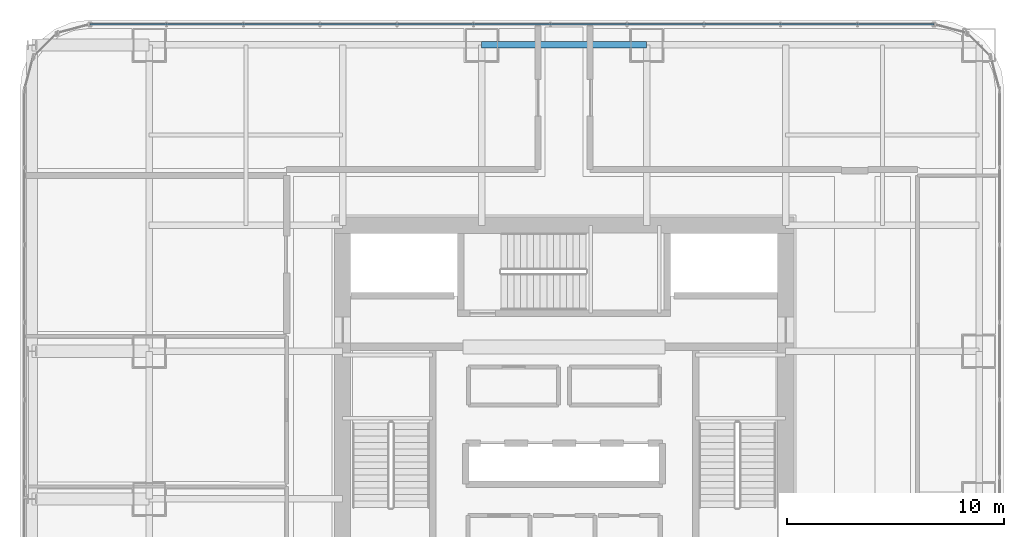
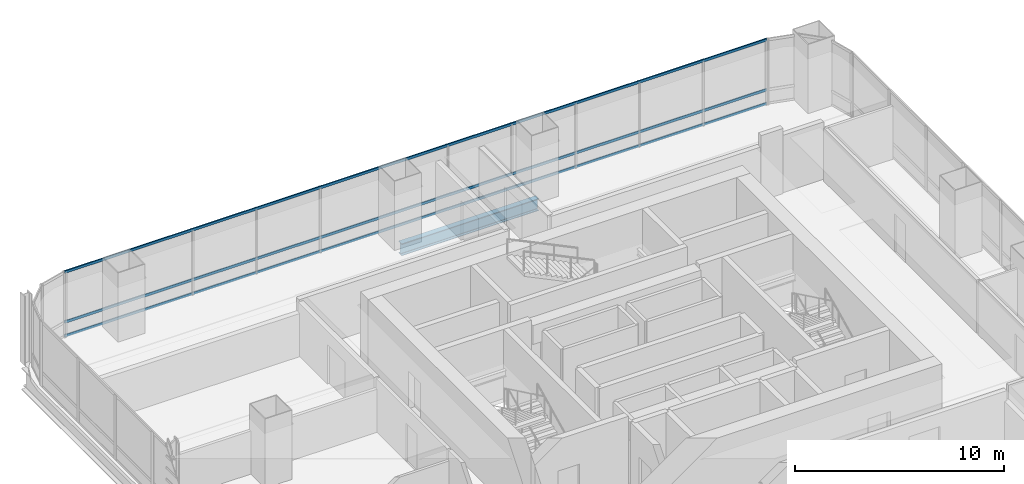
# One storey, part 22 of 36: 3 members, 1 beam, 1 element without a shape of its own.
"""IFC4 building model written with IfcOpenShell, lengths in metres."""

from ifc_helpers import new_model, si_unit, direction, frame, origin, origin_2d, place, context, subcontext, project, spatial, hollow_rectangle, i_section, extrude, material, material_profile, profile_set, type_object, element, aggregate, save


model = new_model("IFC4")

# Units and contexts
model_context = context("Model", 3, precision=1e-05, world=origin(), true_north=direction((0.0, 1.0)))
body_context = subcontext(model_context, "Body", "Model", "MODEL_VIEW")
ifc_project = project(units=[si_unit("LENGTHUNIT", "METRE"), si_unit("AREAUNIT", "SQUARE_METRE"), si_unit("VOLUMEUNIT", "CUBIC_METRE"), si_unit("PLANEANGLEUNIT", "RADIAN"), si_unit("MASSUNIT", "GRAM", prefix="KILO")], contexts=[model_context])

# Site, building, storey
site_placement = place(None, origin())
site = spatial("IfcSite", under=ifc_project, at=site_placement, CompositionType="ELEMENT")
building_placement = place(site_placement, origin())
building = spatial("IfcBuilding", under=site, at=building_placement, Name="Punatoya Terracotta Tower", CompositionType="ELEMENT")
storey_placement = place(building_placement, frame((0.0, 0.0, 48.449951171875)))
storey = spatial("IfcBuildingStorey", under=building, at=storey_placement, Name="L10", CompositionType="ELEMENT", Elevation=48.449951171875)

# Beam
ifc_material_1 = material(Name="Steel S355", Category="steel")
ifc_material_profile_1 = material_profile(ifc_material_1, i_section(OverallWidth=0.300048828125, OverallDepth=0.699951171875, WebThickness=0.01708984375, FlangeThickness=0.031982421875, FilletRadius=0.01806640625, at=origin_2d()))
ifc_profile_set_1 = profile_set([ifc_material_profile_1], Name="Steel S355")
beam_type = type_object("IfcBeamType", Name="BM-PRI-700", PredefinedType="BEAM", material=ifc_profile_set_1)
beam_placement = place(storey_placement, frame((-3.800048828125, 17.5, -0.58984375), z_axis=(1.0, 0.0, 0.0), x_axis=(0.0, 1.0, 0.0)))
element("IfcBeam", 1, at=beam_placement, inside=storey, type_object=beam_type, Name="BM-L10-RG-N2", PredefinedType="BEAM", context=body_context, shape_type="SweptSolid", body=[
    extrude(i_section(OverallWidth=0.300048828125, OverallDepth=0.699951171875, WebThickness=0.01708984375, FlangeThickness=0.031982421875, FilletRadius=0.01806640625, at=origin_2d()), origin(), (0.0, 0.0, 1.0), 7.60009765625),
])

# Curtain wall, members
ifc_material_2 = material(Name="Aluminium 6063-T6 + Double Low-E Glass", Category="aluminium")
curtain_wall_type = type_object("IfcCurtainWallType", Name="CW-M1", PredefinedType="NOTDEFINED", material=ifc_material_2)
curtain_wall_placement = place(storey_placement, origin())
curtain_wall = element("IfcCurtainWall", 2, at=curtain_wall_placement, inside=storey, type_object=curtain_wall_type, Name="L10 Curtain Wall CW-L10-N09-1", PredefinedType="NOTDEFINED")
ifc_material_3 = material(Name="Aluminium 6063-T6", Category="aluminium")
ifc_material_profile_2 = material_profile(ifc_material_3, hollow_rectangle(XDim=0.068115234375, YDim=0.14990234375, WallThickness=0.00390625, at=origin_2d()))
ifc_profile_set_2 = profile_set([ifc_material_profile_2], Name="Aluminium 6063-T6")
member_type = type_object("IfcMemberType", Name="CW-TRN-TYP", PredefinedType="USERDEFINED", material=ifc_profile_set_2)
member_1_placement = place(storey_placement, frame((17.036865234375, 18.449951171875, 0.0400390625), z_axis=(-1.0, 0.0, 0.0), x_axis=(0.0, -1.0, 0.0)))
member_1 = element("IfcMember", 3, at=member_1_placement, type_object=member_type, Name="CW-L10-N09-1 Transom 1", ObjectType="TRANSOM", PredefinedType="USERDEFINED", context=body_context, shape_type="SweptSolid", body=[
    extrude(hollow_rectangle(XDim=0.068115234375, YDim=0.14990234375, WallThickness=0.00390625, at=origin_2d()), origin(), (0.0, 0.0, 1.0), 38.873779296875),
])
member_2_placement = place(storey_placement, frame((17.036865234375, 18.449951171875, 0.85009765625), z_axis=(-1.0, 0.0, 0.0), x_axis=(0.0, -1.0, 0.0)))
member_2 = element("IfcMember", 4, at=member_2_placement, type_object=member_type, Name="CW-L10-N09-1 Transom 2", ObjectType="TRANSOM", PredefinedType="USERDEFINED", context=body_context, shape_type="SweptSolid", body=[
    extrude(hollow_rectangle(XDim=0.068115234375, YDim=0.14990234375, WallThickness=0.00390625, at=origin_2d()), origin(), (0.0, 0.0, 1.0), 38.873779296875),
])
member_3_placement = place(storey_placement, frame((17.036865234375, 18.449951171875, 3.77001953125), z_axis=(-1.0, 0.0, 0.0), x_axis=(0.0, -1.0, 0.0)))
member_3 = element("IfcMember", 5, at=member_3_placement, type_object=member_type, Name="CW-L10-N09-1 Transom 3", ObjectType="TRANSOM", PredefinedType="USERDEFINED", context=body_context, shape_type="SweptSolid", body=[
    extrude(hollow_rectangle(XDim=0.068115234375, YDim=0.14990234375, WallThickness=0.00390625, at=origin_2d()), origin(), (0.0, 0.0, 1.0), 38.873779296875),
])
aggregate(curtain_wall, [member_1, member_2, member_3])

save(model, "model.ifc")
